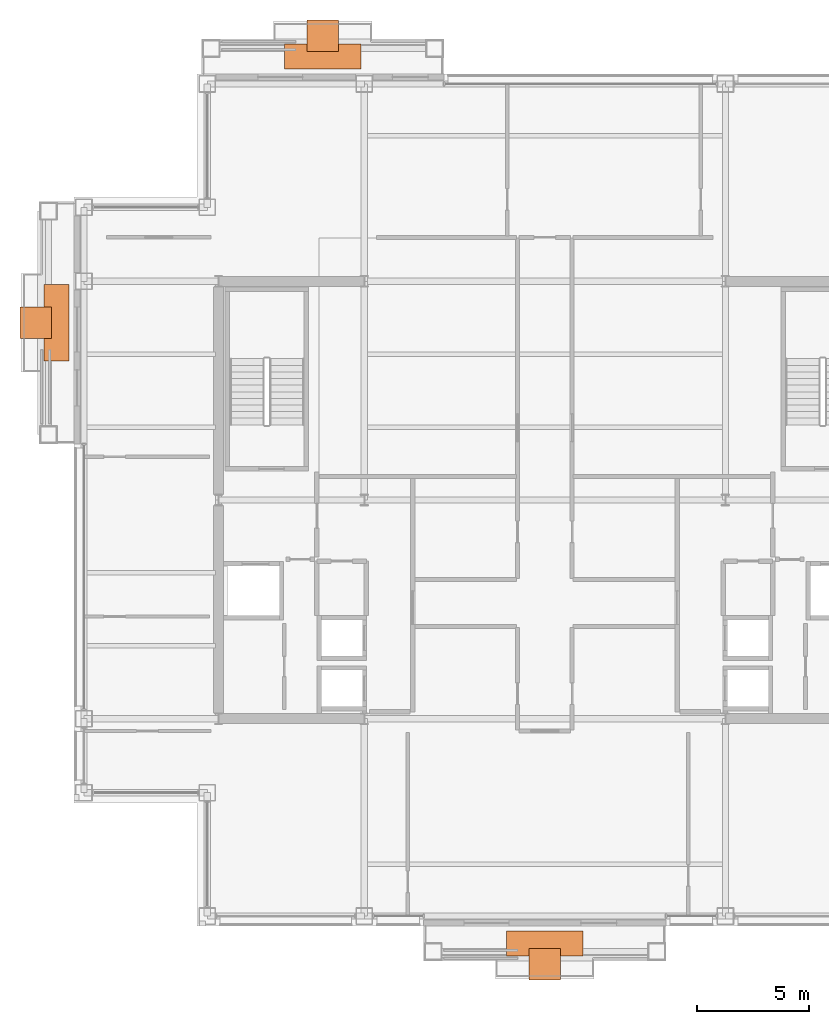
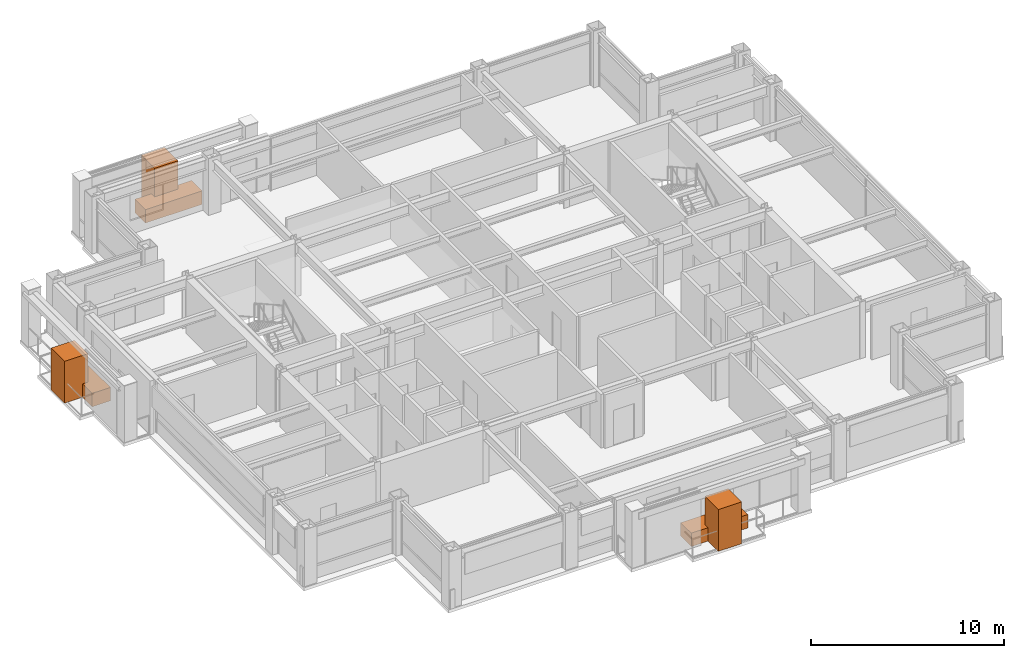
# One storey, part 31 of 31: 6 proxies.
"""IFC4 building model written with IfcOpenShell, lengths in metres."""

from ifc_helpers import new_model, si_unit, direction, frame, origin, origin_2d, place, context, subcontext, project, spatial, rectangle, extrude, material, type_object, element, save


model = new_model("IFC4")

# Units and contexts
model_context = context("Model", 3, precision=1e-05, world=origin(), true_north=direction((0.0, 1.0)))
body_context = subcontext(model_context, "Body", "Model", "MODEL_VIEW")
ifc_project = project(units=[si_unit("LENGTHUNIT", "METRE"), si_unit("AREAUNIT", "SQUARE_METRE"), si_unit("VOLUMEUNIT", "CUBIC_METRE"), si_unit("PLANEANGLEUNIT", "RADIAN"), si_unit("MASSUNIT", "GRAM", prefix="KILO")], contexts=[model_context])

# Site, building, storey
site_placement = place(None, origin())
site = spatial("IfcSite", under=ifc_project, at=site_placement, CompositionType="ELEMENT")
building_placement = place(site_placement, origin())
building = spatial("IfcBuilding", under=site, at=building_placement, Name="Brelmoor Portico Tower", CompositionType="ELEMENT")
storey_placement = place(building_placement, frame((0.0, 0.0, 176.699951171875)))
storey = spatial("IfcBuildingStorey", under=building, at=storey_placement, Name="L46", CompositionType="ELEMENT", Elevation=176.699951171875)

# Proxies
ifc_material_1 = material(Name="Planted Canopy Tree and Soil Rootball", Category="other")
building_element_proxy_type_1 = type_object("IfcBuildingElementProxyType", Name="BALCONY TREE ARBOR", PredefinedType="USERDEFINED", material=ifc_material_1)
for number, where, z_axis, x_axis, name in (
    (1, (0.0, -20.699951171875, 0.0), (0.0, 0.0, 1.0), (1.0, 0.0, 0.0), "L46 Balcony PLANTER Tree Canopy Arbor S"),
    (2, (-9.89990234375, 20.699951171875, 0.0), (0.0, 0.0, 1.0), (1.0, 0.0, 0.0), "L46 Balcony PLANTER Tree Canopy Arbor N"),
    (3, (-22.699951171875, 7.89990234375, 0.0), (0.0, 0.0, 1.0), (1.0, 0.0, 0.0), "L46 Balcony PLANTER Tree Canopy Arbor W"),
):
    element("IfcBuildingElementProxy", number, at=place(storey_placement, frame(where, z_axis=z_axis, x_axis=x_axis)), inside=storey, type_object=building_element_proxy_type_1, Name=name, ObjectType="PLANTER", PredefinedType="USERDEFINED", context=body_context, shape_type="SweptSolid", body=[
        extrude(rectangle(XDim=1.39990234375, YDim=1.39990234375, at=origin_2d()), origin(), (0.0, 0.0, 1.0), 2.64990234375),
    ])
ifc_material_2 = material(Name="Architectural Precast Concrete C40", Category="concrete")
building_element_proxy_type_2 = type_object("IfcBuildingElementProxyType", Name="TREE PLANTER", PredefinedType="USERDEFINED", material=ifc_material_2)
for number, where, z_axis, x_axis, name in (
    (4, (0.0, -19.77490234375, 0.0), (0.0, 0.0, 1.0), (1.0, 0.0, 0.0), "L46 Planted Tree Planter S"),
    (5, (-9.89990234375, 19.77490234375, 0.0), (0.0, 0.0, 1.0), (1.0, 0.0, 0.0), "L46 Planted Tree Planter N"),
    (6, (-21.77490234375, 7.89990234375, 0.0), (0.0, 0.0, 1.0), (0.0, 1.0, 0.0), "L46 Planted Tree Planter W"),
):
    element("IfcBuildingElementProxy", number, at=place(storey_placement, frame(where, z_axis=z_axis, x_axis=x_axis)), inside=storey, type_object=building_element_proxy_type_2, Name=name, ObjectType="PLANTER", PredefinedType="USERDEFINED", context=body_context, shape_type="SweptSolid", body=[
        extrude(rectangle(XDim=3.39990234375, YDim=1.10009765625, at=origin_2d()), origin(), (0.0, 0.0, 1.0), 0.85009765625),
    ])

save(model, "model.ifc")
